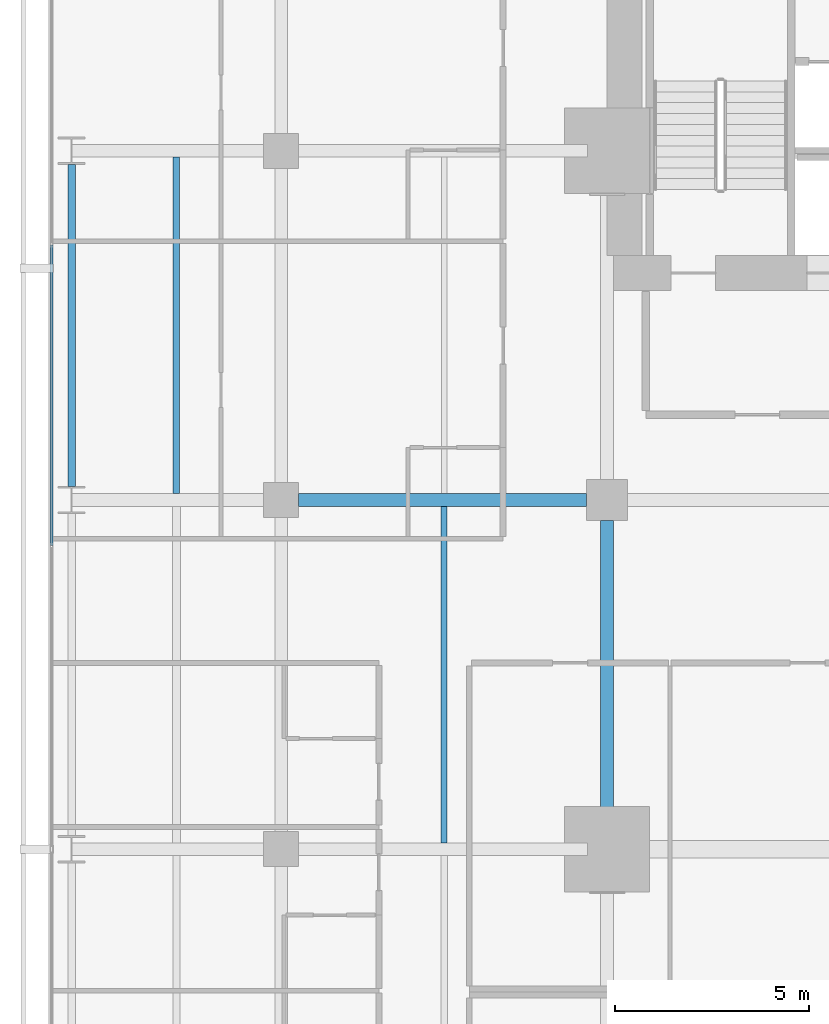
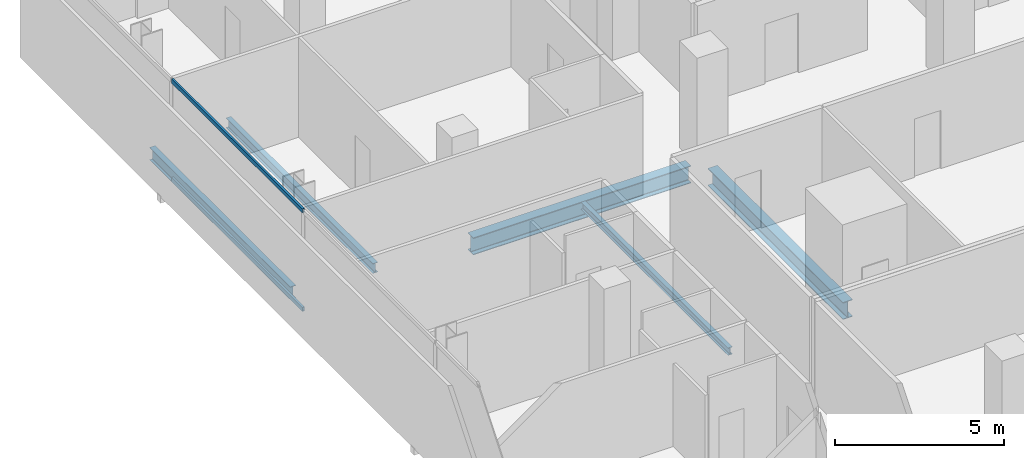
# One storey, part 22 of 40: 5 beams, 2 members, 1 element without a shape of its own.
"""IFC4 building model written with IfcOpenShell, lengths in metres."""

from ifc_helpers import new_model, si_unit, direction, frame, origin, origin_2d, place, context, subcontext, project, spatial, hollow_rectangle, i_section, extrude, material, layer, layer_set, material_profile, profile_set, type_object, element, aggregate, save


model = new_model("IFC4")

# Units and contexts
model_context = context("Model", 3, precision=1e-05, world=origin(), true_north=direction((0.0, 1.0)))
body_context = subcontext(model_context, "Body", "Model", "MODEL_VIEW")
ifc_project = project(units=[si_unit("LENGTHUNIT", "METRE"), si_unit("AREAUNIT", "SQUARE_METRE"), si_unit("VOLUMEUNIT", "CUBIC_METRE"), si_unit("PLANEANGLEUNIT", "RADIAN"), si_unit("MASSUNIT", "GRAM", prefix="KILO")], contexts=[model_context])

# Site, building, storey
site_placement = place(None, origin())
site = spatial("IfcSite", under=ifc_project, at=site_placement, CompositionType="ELEMENT")
building_placement = place(site_placement, origin())
building = spatial("IfcBuilding", under=site, at=building_placement, Name="Maruvema Waterfront Hotel and Observation Tower", CompositionType="ELEMENT")
storey_placement = place(building_placement, frame((0.0, 0.0, 38.5)))
storey = spatial("IfcBuildingStorey", under=building, at=storey_placement, Name="L08", CompositionType="ELEMENT", Elevation=38.5)

# Curtain wall, members
ifc_material_1 = material(Name="Anodised bronze aluminium and solar-control low-E IGU", Category="aluminium")
ifc_layer = layer(ifc_material_1, 0.159912109375, Name="Zone 1 Bronze Inner Thermal Curtain Wall System CW-02")
ifc_layer_set = layer_set([ifc_layer], Name="Anodised bronze aluminium and solar-control low-E IGU")
curtain_wall_type = type_object("IfcCurtainWallType", Name="Zone 1 Bronze Inner Thermal Curtain Wall System CW-02", PredefinedType="USERDEFINED", material=ifc_layer_set)
curtain_wall_placement = place(storey_placement, origin())
curtain_wall = element("IfcCurtainWall", 1, at=curtain_wall_placement, inside=storey, type_object=curtain_wall_type, Name="L08 Curtain Wall CW-L08-W", ObjectType="UNITISED CURTAIN WALL", PredefinedType="USERDEFINED")
ifc_material_2 = material(Name="Anodised architectural bronze aluminium", Category="aluminium")
ifc_material_profile_1 = material_profile(ifc_material_2, hollow_rectangle(XDim=0.070068359375, YDim=0.14990234375, WallThickness=0.00390625, at=origin_2d()), Name="ALU-T70x150")
ifc_profile_set_1 = profile_set([ifc_material_profile_1], Name="Anodised architectural bronze aluminium")
member_type = type_object("IfcMemberType", Name="Curtain Wall Horizontal Transom ALU-T70x150", PredefinedType="USERDEFINED", material=ifc_profile_set_1)
member_1_placement = place(storey_placement, frame((10.8798828125, 42.570068359375, 0.030029296875), z_axis=(0.0, -1.0, 0.0), x_axis=(1.0, 0.0, 0.0)))
member_1 = element("IfcMember", 2, at=member_1_placement, type_object=member_type, Name="CW-02 transom 2.1", ObjectType="TRANSOM", PredefinedType="USERDEFINED", context=body_context, shape_type="SweptSolid", body=[
    extrude(hollow_rectangle(XDim=0.070068359375, YDim=0.14990234375, WallThickness=0.00390625, at=origin_2d()), origin(), (0.0, 0.0, 1.0), 7.739990234375),
])
member_2_placement = place(storey_placement, frame((10.8798828125, 42.570068359375, 3.580078125), z_axis=(0.0, -1.0, 0.0), x_axis=(1.0, 0.0, 0.0)))
member_2 = element("IfcMember", 3, at=member_2_placement, type_object=member_type, Name="CW-02 transom 2.2", ObjectType="TRANSOM", PredefinedType="USERDEFINED", context=body_context, shape_type="SweptSolid", body=[
    extrude(hollow_rectangle(XDim=0.070068359375, YDim=0.14990234375, WallThickness=0.00390625, at=origin_2d()), origin(), (0.0, 0.0, 1.0), 7.739990234375),
])
aggregate(curtain_wall, [member_1, member_2])

# Beams
ifc_material_3 = material(Name="Steel ASTM A572 Grade 50", Category="steel")
ifc_material_profile_2 = material_profile(ifc_material_3, i_section(OverallWidth=0.18994140625, OverallDepth=0.45703125, WebThickness=0.009033203125, FlangeThickness=0.014404296875, FilletRadius=0.014892578125, at=origin_2d()), Name="W460x74.0")
ifc_profile_set_2 = profile_set([ifc_material_profile_2], Name="Steel ASTM A572 Grade 50")
beam_type_1 = type_object("IfcBeamType", Name="Perimeter Spandrel Beam W460x74.0", PredefinedType="SPANDREL", material=ifc_profile_set_2)
beam_1_placement = place(storey_placement, frame((11.39990234375, 36.35009765625, -0.468505859375), z_axis=(0.0, 1.0, 0.0), x_axis=(-1.0, 0.0, 0.0)))
element("IfcBeam", 4, at=beam_1_placement, inside=storey, type_object=beam_type_1, Name="L08 Floor Girder NS-04", PredefinedType="SPANDREL", context=body_context, shape_type="SweptSolid", body=[
    extrude(i_section(OverallWidth=0.18994140625, OverallDepth=0.45703125, WebThickness=0.009033203125, FlangeThickness=0.014404296875, FilletRadius=0.014892578125, at=origin_2d()), origin(), (0.0, 0.0, 1.0), 8.2998046875),
])
ifc_material_4 = material(Name="Steel ASTM A572 Grade 50", Category="steel")
ifc_material_profile_3 = material_profile(ifc_material_4, i_section(OverallWidth=0.326904296875, OverallDepth=0.6220703125, WebThickness=0.015380859375, FlangeThickness=0.0244140625, FilletRadius=0.01806640625, at=origin_2d()), Name="W610x195.0")
ifc_profile_set_3 = profile_set([ifc_material_profile_3], Name="Steel ASTM A572 Grade 50")
beam_type_2 = type_object("IfcBeamType", Name="Primary Floor Girder W610x195.0", PredefinedType="BEAM", material=ifc_profile_set_3)
beam_2_placement = place(storey_placement, frame((17.25, 36.0, -0.551025390625), z_axis=(1.0, 0.0, 0.0), x_axis=(0.0, 1.0, 0.0)))
element("IfcBeam", 5, at=beam_2_placement, inside=storey, type_object=beam_type_2, Name="L08 Floor Girder EW-26", PredefinedType="BEAM", context=body_context, shape_type="SweptSolid", body=[
    extrude(i_section(OverallWidth=0.326904296875, OverallDepth=0.6220703125, WebThickness=0.015380859375, FlangeThickness=0.0244140625, FilletRadius=0.01806640625, at=origin_2d()), origin(), (0.0, 0.0, 1.0), 7.425048828125),
])
beam_3_placement = place(storey_placement, frame((25.199951171875, 27.5, -0.551025390625), z_axis=(0.0, 1.0, 0.0), x_axis=(-1.0, 0.0, 0.0)))
element("IfcBeam", 6, at=beam_3_placement, inside=storey, type_object=beam_type_2, Name="L08 Floor Girder NS-14", PredefinedType="BEAM", context=body_context, shape_type="SweptSolid", body=[
    extrude(i_section(OverallWidth=0.326904296875, OverallDepth=0.6220703125, WebThickness=0.015380859375, FlangeThickness=0.0244140625, FilletRadius=0.01806640625, at=origin_2d()), origin(), (0.0, 0.0, 1.0), 7.97509765625),
])
ifc_material_5 = material(Name="Steel ASTM A572 Grade 50", Category="steel")
ifc_material_profile_4 = material_profile(ifc_material_5, i_section(OverallWidth=0.14794921875, OverallDepth=0.26611328125, WebThickness=0.007568359375, FlangeThickness=0.012939453125, FilletRadius=0.012939453125, at=origin_2d()), Name="W250x44.8")
ifc_profile_set_4 = profile_set([ifc_material_profile_4], Name="Steel ASTM A572 Grade 50")
beam_type_3 = type_object("IfcBeamType", Name="Secondary Floor Joist W250x44.8", PredefinedType="JOIST", material=ifc_profile_set_4)
beam_4_placement = place(storey_placement, frame((21.0, 27.16357421875, -0.373046875), z_axis=(0.0, 1.0, 0.0), x_axis=(-1.0, 0.0, 0.0)))
element("IfcBeam", 7, at=beam_4_placement, inside=storey, type_object=beam_type_3, Name="L08 Secondary Floor Joist JS-08", PredefinedType="JOIST", context=body_context, shape_type="SweptSolid", body=[
    extrude(i_section(OverallWidth=0.14794921875, OverallDepth=0.26611328125, WebThickness=0.007568359375, FlangeThickness=0.012939453125, FilletRadius=0.012939453125, at=origin_2d()), origin(), (0.0, 0.0, 1.0), 8.6728515625),
])
ifc_material_6 = material(Name="Steel ASTM A572 Grade 50", Category="steel")
ifc_material_profile_5 = material_profile(ifc_material_6, i_section(OverallWidth=0.1708984375, OverallDepth=0.35498046875, WebThickness=0.007080078125, FlangeThickness=0.01171875, FilletRadius=0.014892578125, at=origin_2d()), Name="W360x51.0")
ifc_profile_set_5 = profile_set([ifc_material_profile_5], Name="Steel ASTM A572 Grade 50")
beam_type_4 = type_object("IfcBeamType", Name="Secondary Floor Joist W360x51.0", PredefinedType="JOIST", material=ifc_profile_set_5)
beam_5_placement = place(storey_placement, frame((14.10009765625, 36.16357421875, -0.41748046875), z_axis=(0.0, 1.0, 0.0), x_axis=(-1.0, 0.0, 0.0)))
element("IfcBeam", 8, at=beam_5_placement, inside=storey, type_object=beam_type_4, Name="L08 Secondary Floor Joist JS-04", PredefinedType="JOIST", context=body_context, shape_type="SweptSolid", body=[
    extrude(i_section(OverallWidth=0.1708984375, OverallDepth=0.35498046875, WebThickness=0.007080078125, FlangeThickness=0.01171875, FilletRadius=0.014892578125, at=origin_2d()), origin(), (0.0, 0.0, 1.0), 8.6728515625),
])

save(model, "model.ifc")
